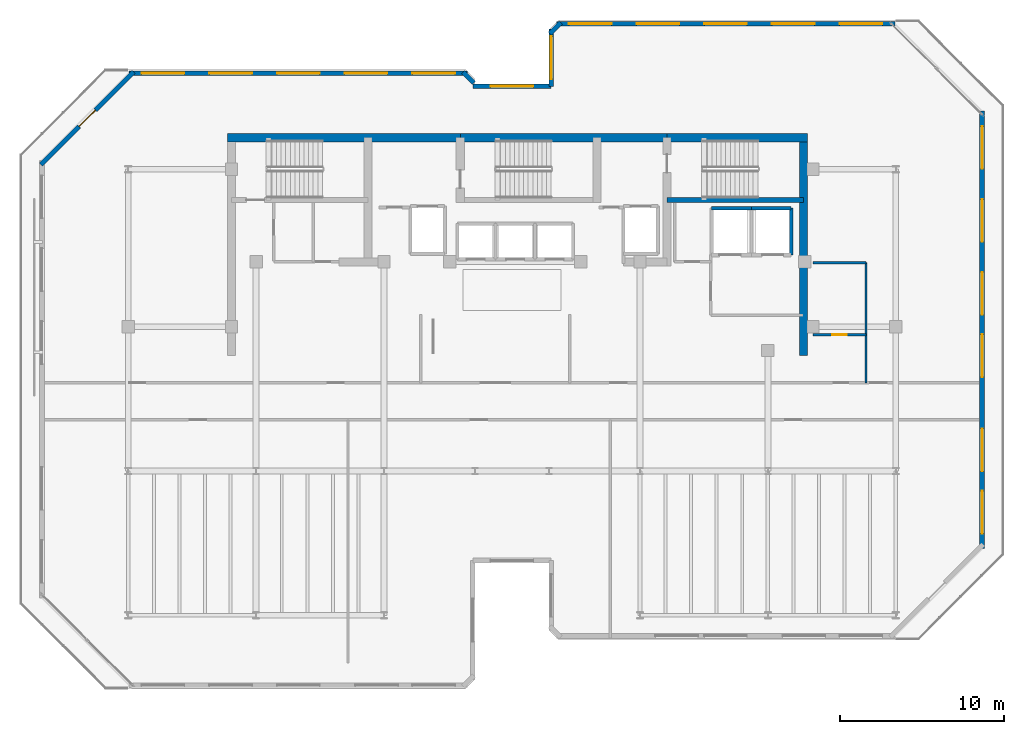
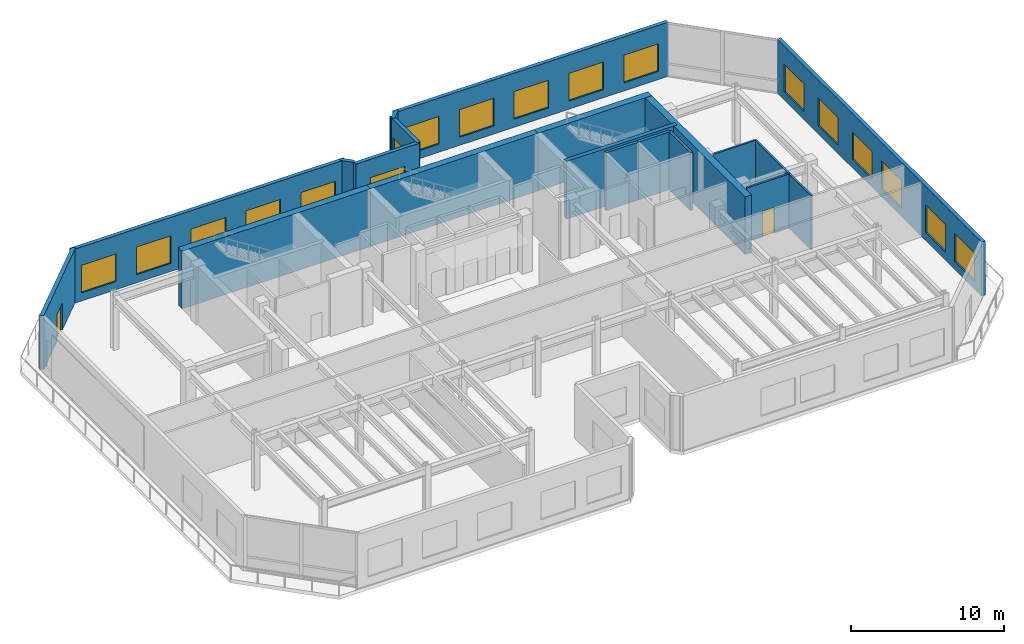
# One storey, part 8 of 12: 19 walls, 18 windows, 2 doors, 20 openings.
"""IFC4 building model written with IfcOpenShell, lengths in metres."""

from ifc_helpers import new_model, si_unit, direction, frame, frame_2d, origin, place, context, subcontext, project, spatial, rectangle, extrude, material, layer, layer_set, type_object, element, fill, save


model = new_model("IFC4")

# Units and contexts
model_context = context("Model", 3, precision=1e-05, world=origin(), true_north=direction((0.0, 1.0)))
body_context = subcontext(model_context, "Body", "Model", "MODEL_VIEW")
ifc_project = project(units=[si_unit("LENGTHUNIT", "METRE"), si_unit("AREAUNIT", "SQUARE_METRE"), si_unit("VOLUMEUNIT", "CUBIC_METRE"), si_unit("PLANEANGLEUNIT", "RADIAN"), si_unit("MASSUNIT", "GRAM", prefix="KILO")], contexts=[model_context])

# Site, building, storey
site_placement = place(None, origin())
site = spatial("IfcSite", under=ifc_project, at=site_placement, CompositionType="ELEMENT")
building_placement = place(site_placement, origin())
building = spatial("IfcBuilding", under=site, at=building_placement, Name="Kestravale Grand Hotel", CompositionType="ELEMENT")
storey_placement = place(building_placement, frame((0.0, 0.0, 302.0)))
storey = spatial("IfcBuildingStorey", under=building, at=storey_placement, Name="L75", CompositionType="ELEMENT", Elevation=302.0)

# Walls
ifc_material_1 = material(Name="Concrete f'c 50 MPa", Category="concrete")
ifc_layer_1 = layer(ifc_material_1, 0.5)
ifc_layer_set_1 = layer_set([ifc_layer_1], Name="EW-CORE-500")
wall_type_1 = type_object("IfcWallType", Name="EW-CORE-500", PredefinedType="SHEAR", material=ifc_layer_set_1)
wall_1_placement = place(storey_placement, frame((21.64990234375, 40.320068359375, 0.0), z_axis=(0.0, 0.0, 1.0), x_axis=(1.0, 0.0, 0.0)))
element("IfcWall", 1, at=wall_1_placement, inside=storey, type_object=wall_type_1, Name="L75 core shear wall N1", PredefinedType="SHEAR", context=body_context, shape_type="SweptSolid", body=[
    extrude(rectangle(XDim=14.2001953125, YDim=0.5, at=frame_2d((7.10009765625, 0.0))), origin(), (0.0, 0.0, 1.0), 4.60009765625),
])
wall_2_placement = place(storey_placement, frame((35.85009765625, 40.320068359375, 0.0), z_axis=(0.0, 0.0, 1.0), x_axis=(1.0, 0.0, 0.0)))
element("IfcWall", 2, at=wall_2_placement, inside=storey, type_object=wall_type_1, Name="L75 core shear wall N2", PredefinedType="SHEAR", context=body_context, shape_type="SweptSolid", body=[
    extrude(rectangle(XDim=12.599853515625, YDim=0.5, at=frame_2d((6.2998046875, 0.0))), origin(), (0.0, 0.0, 1.0), 4.60009765625),
])
wall_3_placement = place(storey_placement, frame((48.449951171875, 40.320068359375, 0.0), z_axis=(0.0, 0.0, 1.0), x_axis=(1.0, 0.0, 0.0)))
element("IfcWall", 3, at=wall_3_placement, inside=storey, type_object=wall_type_1, Name="L75 core shear wall N3", PredefinedType="SHEAR", context=body_context, shape_type="SweptSolid", body=[
    extrude(rectangle(XDim=8.570068359375, YDim=0.5, at=frame_2d((4.28515625, 0.0))), origin(), (0.0, 0.0, 1.0), 4.60009765625),
])
wall_4_placement = place(storey_placement, frame((56.77001953125, 27.050048828125, 0.0), z_axis=(0.0, 0.0, 1.0), x_axis=(0.0, 1.0, 0.0)))
element("IfcWall", 4, at=wall_4_placement, inside=storey, type_object=wall_type_1, Name="L75 core shear wall E1", PredefinedType="SHEAR", context=body_context, shape_type="SweptSolid", body=[
    extrude(rectangle(XDim=13.52001953125, YDim=0.5, at=frame_2d((6.760009765625, 0.0))), origin(), (0.0, 0.0, 1.0), 4.60009765625),
])

# Wall, openings, windows
ifc_material_2 = material(Name="Precast concrete f'c 45 MPa", Category="concrete")
ifc_layer_2 = layer(ifc_material_2, 0.280029296875)
ifc_layer_set_2 = layer_set([ifc_layer_2], Name="EW-PREC-280")
wall_type_2 = type_object("IfcWallType", Name="EW-PREC-280", PredefinedType="SOLIDWALL", material=ifc_layer_set_2)
wall_5_placement = place(storey_placement, frame((67.659912109375, 15.260009765625, 0.0), z_axis=(0.0, 0.0, 1.0), x_axis=(0.0, 1.0, 0.0)))
wall_5 = element("IfcWall", 5, at=wall_5_placement, inside=storey, type_object=wall_type_2, Name="L75 fluted precast facade wall 9", PredefinedType="SOLIDWALL", context=body_context, shape_type="SweptSolid", body=[
    extrude(rectangle(XDim=26.679931640625, YDim=0.280029296875, at=frame_2d((13.33984375, 0.0))), origin(), (0.0, 0.0, 1.0), 4.31005859375),
])
opening_1_placement = place(wall_5_placement, frame((0.92333984375, 0.0, 0.64990234375)))
opening_1 = element("IfcOpeningElement", 6, at=opening_1_placement, cuts=wall_5, Name="Opening W-SKY-2600", PredefinedType="OPENING", context=body_context, shape_type="SweptSolid", body=[
    extrude(rectangle(XDim=2.60009765625, YDim=2.199951171875, at=frame_2d((1.300048828125, 1.10009765625))), frame((0.0, 0.14990234375, 0.0), z_axis=(0.0, -1.0, 0.0), x_axis=(1.0, 0.0, 0.0)), (0.0, 0.0, 1.0), 0.300048828125),
])
opening_2_placement = place(wall_5_placement, frame((4.719970703125, 0.0, 0.64990234375)))
opening_2 = element("IfcOpeningElement", 7, at=opening_2_placement, cuts=wall_5, Name="Opening W-SKY-2600", PredefinedType="OPENING", context=body_context, shape_type="SweptSolid", body=[
    extrude(rectangle(XDim=2.60009765625, YDim=2.199951171875, at=frame_2d((1.300048828125, 1.10009765625))), frame((0.0, 0.14990234375, 0.0), z_axis=(0.0, -1.0, 0.0), x_axis=(1.0, 0.0, 0.0)), (0.0, 0.0, 1.0), 0.300048828125),
])
opening_3_placement = place(wall_5_placement, frame((10.466796875, 0.0, 0.64990234375)))
opening_3 = element("IfcOpeningElement", 8, at=opening_3_placement, cuts=wall_5, Name="Opening W-SKY-2600", PredefinedType="OPENING", context=body_context, shape_type="SweptSolid", body=[
    extrude(rectangle(XDim=2.60009765625, YDim=2.199951171875, at=frame_2d((1.300048828125, 1.10009765625))), frame((0.0, 0.14990234375, 0.0), z_axis=(0.0, -1.0, 0.0), x_axis=(1.0, 0.0, 0.0)), (0.0, 0.0, 1.0), 0.300048828125),
])
opening_4_placement = place(wall_5_placement, frame((14.26318359375, 0.0, 0.64990234375)))
opening_4 = element("IfcOpeningElement", 9, at=opening_4_placement, cuts=wall_5, Name="Opening W-SKY-2600", PredefinedType="OPENING", context=body_context, shape_type="SweptSolid", body=[
    extrude(rectangle(XDim=2.60009765625, YDim=2.199951171875, at=frame_2d((1.300048828125, 1.10009765625))), frame((0.0, 0.14990234375, 0.0), z_axis=(0.0, -1.0, 0.0), x_axis=(1.0, 0.0, 0.0)), (0.0, 0.0, 1.0), 0.300048828125),
])
opening_5_placement = place(wall_5_placement, frame((18.7099609375, 0.0, 0.64990234375)))
opening_5 = element("IfcOpeningElement", 10, at=opening_5_placement, cuts=wall_5, Name="Opening W-SKY-2600", PredefinedType="OPENING", context=body_context, shape_type="SweptSolid", body=[
    extrude(rectangle(XDim=2.60009765625, YDim=2.199951171875, at=frame_2d((1.300048828125, 1.10009765625))), frame((0.0, 0.14990234375, 0.0), z_axis=(0.0, -1.0, 0.0), x_axis=(1.0, 0.0, 0.0)), (0.0, 0.0, 1.0), 0.300048828125),
])
opening_6_placement = place(wall_5_placement, frame((23.15673828125, 0.0, 0.64990234375)))
opening_6 = element("IfcOpeningElement", 11, at=opening_6_placement, cuts=wall_5, Name="Opening W-SKY-2600", PredefinedType="OPENING", context=body_context, shape_type="SweptSolid", body=[
    extrude(rectangle(XDim=2.60009765625, YDim=2.199951171875, at=frame_2d((1.300048828125, 1.10009765625))), frame((0.0, 0.14990234375, 0.0), z_axis=(0.0, -1.0, 0.0), x_axis=(1.0, 0.0, 0.0)), (0.0, 0.0, 1.0), 0.300048828125),
])
ifc_material_3 = material(Name="Insulated low-E double glazing in aluminium frame", Category="aluminium")
window_type = type_object("IfcWindowType", Name="W-SKY-2600", PartitioningType="TRIPLE_PANEL_VERTICAL", PredefinedType="WINDOW", material=ifc_material_3)
window_1_placement = place(opening_1_placement, origin())
window_1 = element("IfcWindow", 12, at=window_1_placement, inside=storey, type_object=window_type, Name="L75 exterior window 9.1", OverallHeight=2.199951171875, OverallWidth=2.60009765625, PartitioningType="SINGLE_PANEL", PredefinedType="WINDOW", context=body_context, shape_type="SweptSolid", body=[
    extrude(rectangle(XDim=2.60009765625, YDim=2.199951171875, at=frame_2d((1.300048828125, 1.10009765625))), frame((0.0, 0.030029296875, 0.0), z_axis=(0.0, -1.0, 0.0), x_axis=(1.0, 0.0, 0.0)), (0.0, 0.0, 1.0), 0.06005859375),
])
fill(opening_1, window_1)
window_2_placement = place(opening_2_placement, origin())
window_2 = element("IfcWindow", 13, at=window_2_placement, inside=storey, type_object=window_type, Name="L75 exterior window 9.2", OverallHeight=2.199951171875, OverallWidth=2.60009765625, PartitioningType="SINGLE_PANEL", PredefinedType="WINDOW", context=body_context, shape_type="SweptSolid", body=[
    extrude(rectangle(XDim=2.60009765625, YDim=2.199951171875, at=frame_2d((1.300048828125, 1.10009765625))), frame((0.0, 0.030029296875, 0.0), z_axis=(0.0, -1.0, 0.0), x_axis=(1.0, 0.0, 0.0)), (0.0, 0.0, 1.0), 0.06005859375),
])
fill(opening_2, window_2)
window_3_placement = place(opening_3_placement, origin())
window_3 = element("IfcWindow", 14, at=window_3_placement, inside=storey, type_object=window_type, Name="L75 exterior window 9.3", OverallHeight=2.199951171875, OverallWidth=2.60009765625, PartitioningType="SINGLE_PANEL", PredefinedType="WINDOW", context=body_context, shape_type="SweptSolid", body=[
    extrude(rectangle(XDim=2.60009765625, YDim=2.199951171875, at=frame_2d((1.300048828125, 1.10009765625))), frame((0.0, 0.030029296875, 0.0), z_axis=(0.0, -1.0, 0.0), x_axis=(1.0, 0.0, 0.0)), (0.0, 0.0, 1.0), 0.06005859375),
])
fill(opening_3, window_3)
window_4_placement = place(opening_4_placement, origin())
window_4 = element("IfcWindow", 15, at=window_4_placement, inside=storey, type_object=window_type, Name="L75 exterior window 9.4", OverallHeight=2.199951171875, OverallWidth=2.60009765625, PartitioningType="SINGLE_PANEL", PredefinedType="WINDOW", context=body_context, shape_type="SweptSolid", body=[
    extrude(rectangle(XDim=2.60009765625, YDim=2.199951171875, at=frame_2d((1.300048828125, 1.10009765625))), frame((0.0, 0.030029296875, 0.0), z_axis=(0.0, -1.0, 0.0), x_axis=(1.0, 0.0, 0.0)), (0.0, 0.0, 1.0), 0.06005859375),
])
fill(opening_4, window_4)
window_5_placement = place(opening_5_placement, origin())
window_5 = element("IfcWindow", 16, at=window_5_placement, inside=storey, type_object=window_type, Name="L75 exterior window 9.5", OverallHeight=2.199951171875, OverallWidth=2.60009765625, PartitioningType="SINGLE_PANEL", PredefinedType="WINDOW", context=body_context, shape_type="SweptSolid", body=[
    extrude(rectangle(XDim=2.60009765625, YDim=2.199951171875, at=frame_2d((1.300048828125, 1.10009765625))), frame((0.0, 0.030029296875, 0.0), z_axis=(0.0, -1.0, 0.0), x_axis=(1.0, 0.0, 0.0)), (0.0, 0.0, 1.0), 0.06005859375),
])
fill(opening_5, window_5)
window_6_placement = place(opening_6_placement, origin())
window_6 = element("IfcWindow", 17, at=window_6_placement, inside=storey, type_object=window_type, Name="L75 exterior window 9.6", OverallHeight=2.199951171875, OverallWidth=2.60009765625, PartitioningType="SINGLE_PANEL", PredefinedType="WINDOW", context=body_context, shape_type="SweptSolid", body=[
    extrude(rectangle(XDim=2.60009765625, YDim=2.199951171875, at=frame_2d((1.300048828125, 1.10009765625))), frame((0.0, 0.030029296875, 0.0), z_axis=(0.0, -1.0, 0.0), x_axis=(1.0, 0.0, 0.0)), (0.0, 0.0, 1.0), 0.06005859375),
])
fill(opening_6, window_6)

wall_6_placement = place(storey_placement, frame((62.340087890625, 47.260009765625, 0.0), z_axis=(0.0, 0.0, 1.0), x_axis=(-1.0, 0.0, 0.0)))
wall_6 = element("IfcWall", 18, at=wall_6_placement, inside=storey, type_object=wall_type_2, Name="L75 fluted precast facade wall 11", PredefinedType="SOLIDWALL", context=body_context, shape_type="SweptSolid", body=[
    extrude(rectangle(XDim=20.630126953125, YDim=0.280029296875, at=frame_2d((10.31494140625, 0.0))), origin(), (0.0, 0.0, 1.0), 4.31005859375),
])
opening_7_placement = place(wall_6_placement, frame((0.762939453125, 0.0, 0.64990234375)))
opening_7 = element("IfcOpeningElement", 19, at=opening_7_placement, cuts=wall_6, Name="Opening W-SKY-2600", PredefinedType="OPENING", context=body_context, shape_type="SweptSolid", body=[
    extrude(rectangle(XDim=2.60009765625, YDim=2.199951171875, at=frame_2d((1.300048828125, 1.10009765625))), frame((0.0, 0.14990234375, 0.0), z_axis=(0.0, -1.0, 0.0), x_axis=(1.0, 0.0, 0.0)), (0.0, 0.0, 1.0), 0.300048828125),
])
opening_8_placement = place(wall_6_placement, frame((4.888916015625, 0.0, 0.64990234375)))
opening_8 = element("IfcOpeningElement", 20, at=opening_8_placement, cuts=wall_6, Name="Opening W-SKY-2600", PredefinedType="OPENING", context=body_context, shape_type="SweptSolid", body=[
    extrude(rectangle(XDim=2.60009765625, YDim=2.199951171875, at=frame_2d((1.300048828125, 1.10009765625))), frame((0.0, 0.14990234375, 0.0), z_axis=(0.0, -1.0, 0.0), x_axis=(1.0, 0.0, 0.0)), (0.0, 0.0, 1.0), 0.300048828125),
])
opening_9_placement = place(wall_6_placement, frame((9.014892578125, 0.0, 0.64990234375)))
opening_9 = element("IfcOpeningElement", 21, at=opening_9_placement, cuts=wall_6, Name="Opening W-SKY-2600", PredefinedType="OPENING", context=body_context, shape_type="SweptSolid", body=[
    extrude(rectangle(XDim=2.60009765625, YDim=2.199951171875, at=frame_2d((1.300048828125, 1.10009765625))), frame((0.0, 0.14990234375, 0.0), z_axis=(0.0, -1.0, 0.0), x_axis=(1.0, 0.0, 0.0)), (0.0, 0.0, 1.0), 0.300048828125),
])
opening_10_placement = place(wall_6_placement, frame((13.14111328125, 0.0, 0.64990234375)))
opening_10 = element("IfcOpeningElement", 22, at=opening_10_placement, cuts=wall_6, Name="Opening W-SKY-2600", PredefinedType="OPENING", context=body_context, shape_type="SweptSolid", body=[
    extrude(rectangle(XDim=2.60009765625, YDim=2.199951171875, at=frame_2d((1.300048828125, 1.10009765625))), frame((0.0, 0.14990234375, 0.0), z_axis=(0.0, -1.0, 0.0), x_axis=(1.0, 0.0, 0.0)), (0.0, 0.0, 1.0), 0.300048828125),
])
opening_11_placement = place(wall_6_placement, frame((17.26708984375, 0.0, 0.64990234375)))
opening_11 = element("IfcOpeningElement", 23, at=opening_11_placement, cuts=wall_6, Name="Opening W-SKY-2600", PredefinedType="OPENING", context=body_context, shape_type="SweptSolid", body=[
    extrude(rectangle(XDim=2.60009765625, YDim=2.199951171875, at=frame_2d((1.300048828125, 1.10009765625))), frame((0.0, 0.14990234375, 0.0), z_axis=(0.0, -1.0, 0.0), x_axis=(1.0, 0.0, 0.0)), (0.0, 0.0, 1.0), 0.300048828125),
])
window_7_placement = place(opening_7_placement, origin())
window_7 = element("IfcWindow", 24, at=window_7_placement, inside=storey, type_object=window_type, Name="L75 exterior window 11.1", OverallHeight=2.199951171875, OverallWidth=2.60009765625, PartitioningType="SINGLE_PANEL", PredefinedType="WINDOW", context=body_context, shape_type="SweptSolid", body=[
    extrude(rectangle(XDim=2.60009765625, YDim=2.199951171875, at=frame_2d((1.300048828125, 1.10009765625))), frame((0.0, 0.030029296875, 0.0), z_axis=(0.0, -1.0, 0.0), x_axis=(1.0, 0.0, 0.0)), (0.0, 0.0, 1.0), 0.06005859375),
])
fill(opening_7, window_7)
window_8_placement = place(opening_8_placement, origin())
window_8 = element("IfcWindow", 25, at=window_8_placement, inside=storey, type_object=window_type, Name="L75 exterior window 11.2", OverallHeight=2.199951171875, OverallWidth=2.60009765625, PartitioningType="SINGLE_PANEL", PredefinedType="WINDOW", context=body_context, shape_type="SweptSolid", body=[
    extrude(rectangle(XDim=2.60009765625, YDim=2.199951171875, at=frame_2d((1.300048828125, 1.10009765625))), frame((0.0, 0.030029296875, 0.0), z_axis=(0.0, -1.0, 0.0), x_axis=(1.0, 0.0, 0.0)), (0.0, 0.0, 1.0), 0.06005859375),
])
fill(opening_8, window_8)
window_9_placement = place(opening_9_placement, origin())
window_9 = element("IfcWindow", 26, at=window_9_placement, inside=storey, type_object=window_type, Name="L75 exterior window 11.3", OverallHeight=2.199951171875, OverallWidth=2.60009765625, PartitioningType="SINGLE_PANEL", PredefinedType="WINDOW", context=body_context, shape_type="SweptSolid", body=[
    extrude(rectangle(XDim=2.60009765625, YDim=2.199951171875, at=frame_2d((1.300048828125, 1.10009765625))), frame((0.0, 0.030029296875, 0.0), z_axis=(0.0, -1.0, 0.0), x_axis=(1.0, 0.0, 0.0)), (0.0, 0.0, 1.0), 0.06005859375),
])
fill(opening_9, window_9)
window_10_placement = place(opening_10_placement, origin())
window_10 = element("IfcWindow", 27, at=window_10_placement, inside=storey, type_object=window_type, Name="L75 exterior window 11.4", OverallHeight=2.199951171875, OverallWidth=2.60009765625, PartitioningType="SINGLE_PANEL", PredefinedType="WINDOW", context=body_context, shape_type="SweptSolid", body=[
    extrude(rectangle(XDim=2.60009765625, YDim=2.199951171875, at=frame_2d((1.300048828125, 1.10009765625))), frame((0.0, 0.030029296875, 0.0), z_axis=(0.0, -1.0, 0.0), x_axis=(1.0, 0.0, 0.0)), (0.0, 0.0, 1.0), 0.06005859375),
])
fill(opening_10, window_10)
window_11_placement = place(opening_11_placement, origin())
window_11 = element("IfcWindow", 28, at=window_11_placement, inside=storey, type_object=window_type, Name="L75 exterior window 11.5", OverallHeight=2.199951171875, OverallWidth=2.60009765625, PartitioningType="SINGLE_PANEL", PredefinedType="WINDOW", context=body_context, shape_type="SweptSolid", body=[
    extrude(rectangle(XDim=2.60009765625, YDim=2.199951171875, at=frame_2d((1.300048828125, 1.10009765625))), frame((0.0, 0.030029296875, 0.0), z_axis=(0.0, -1.0, 0.0), x_axis=(1.0, 0.0, 0.0)), (0.0, 0.0, 1.0), 0.06005859375),
])
fill(opening_11, window_11)

# Wall
wall_7_placement = place(storey_placement, frame((41.977294921875, 47.329345703125, 0.0), z_axis=(0.0, 0.0, 1.0), x_axis=(-0.706975312048, -0.707238225886, 0.0)))
element("IfcWall", 29, at=wall_7_placement, inside=storey, type_object=wall_type_2, Name="L75 fluted precast facade wall 12", PredefinedType="SOLIDWALL", context=body_context, shape_type="SweptSolid", body=[
    extrude(rectangle(XDim=0.9287109375, YDim=0.280029296875, at=frame_2d((0.46435546875, 0.0))), origin(), (0.0, 0.0, 1.0), 4.31005859375),
])

# Wall, opening, window
wall_8_placement = place(storey_placement, frame((41.389892578125, 46.93994140625, 0.0), z_axis=(0.0, 0.0, 1.0), x_axis=(0.0, -1.0, 0.0)))
wall_8 = element("IfcWall", 30, at=wall_8_placement, inside=storey, type_object=wall_type_2, Name="L75 fluted precast facade wall 13", PredefinedType="SOLIDWALL", context=body_context, shape_type="SweptSolid", body=[
    extrude(rectangle(XDim=3.47998046875, YDim=0.280029296875, at=frame_2d((1.739990234375, 0.0))), origin(), (0.0, 0.0, 1.0), 4.31005859375),
])
opening_12_placement = place(wall_8_placement, frame((0.43994140625, 0.0, 0.64990234375)))
opening_12 = element("IfcOpeningElement", 31, at=opening_12_placement, cuts=wall_8, Name="Opening W-SKY-2600", PredefinedType="OPENING", context=body_context, shape_type="SweptSolid", body=[
    extrude(rectangle(XDim=2.60009765625, YDim=2.199951171875, at=frame_2d((1.300048828125, 1.10009765625))), frame((0.0, 0.14990234375, 0.0), z_axis=(0.0, -1.0, 0.0), x_axis=(1.0, 0.0, 0.0)), (0.0, 0.0, 1.0), 0.300048828125),
])
window_12_placement = place(opening_12_placement, origin())
window_12 = element("IfcWindow", 32, at=window_12_placement, inside=storey, type_object=window_type, Name="L75 exterior window 13.1", OverallHeight=2.199951171875, OverallWidth=2.60009765625, PartitioningType="SINGLE_PANEL", PredefinedType="WINDOW", context=body_context, shape_type="SweptSolid", body=[
    extrude(rectangle(XDim=2.60009765625, YDim=2.199951171875, at=frame_2d((1.300048828125, 1.10009765625))), frame((0.0, 0.030029296875, 0.0), z_axis=(0.0, -1.0, 0.0), x_axis=(1.0, 0.0, 0.0)), (0.0, 0.0, 1.0), 0.06005859375),
])
fill(opening_12, window_12)

wall_9_placement = place(storey_placement, frame((41.389892578125, 43.4599609375, 0.0), z_axis=(0.0, 0.0, 1.0), x_axis=(-1.0, 0.0, 0.0)))
wall_9 = element("IfcWall", 33, at=wall_9_placement, inside=storey, type_object=wall_type_2, Name="L75 fluted precast facade wall 14", PredefinedType="SOLIDWALL", context=body_context, shape_type="SweptSolid", body=[
    extrude(rectangle(XDim=4.77978515625, YDim=0.280029296875, at=frame_2d((2.389892578125, 0.0))), origin(), (0.0, 0.0, 1.0), 4.31005859375),
])
opening_13_placement = place(wall_9_placement, frame((1.090087890625, 0.0, 0.64990234375)))
opening_13 = element("IfcOpeningElement", 34, at=opening_13_placement, cuts=wall_9, Name="Opening W-SKY-2600", PredefinedType="OPENING", context=body_context, shape_type="SweptSolid", body=[
    extrude(rectangle(XDim=2.60009765625, YDim=2.199951171875, at=frame_2d((1.300048828125, 1.10009765625))), frame((0.0, 0.14990234375, 0.0), z_axis=(0.0, -1.0, 0.0), x_axis=(1.0, 0.0, 0.0)), (0.0, 0.0, 1.0), 0.300048828125),
])
window_13_placement = place(opening_13_placement, origin())
window_13 = element("IfcWindow", 35, at=window_13_placement, inside=storey, type_object=window_type, Name="L75 exterior window 14.1", OverallHeight=2.199951171875, OverallWidth=2.60009765625, PartitioningType="SINGLE_PANEL", PredefinedType="WINDOW", context=body_context, shape_type="SweptSolid", body=[
    extrude(rectangle(XDim=2.60009765625, YDim=2.199951171875, at=frame_2d((1.300048828125, 1.10009765625))), frame((0.0, 0.030029296875, 0.0), z_axis=(0.0, -1.0, 0.0), x_axis=(1.0, 0.0, 0.0)), (0.0, 0.0, 1.0), 0.06005859375),
])
fill(opening_13, window_13)

# Wall
wall_10_placement = place(storey_placement, frame((36.67919921875, 43.672607421875, 0.0), z_axis=(0.0, 0.0, 1.0), x_axis=(-0.706975312048, 0.707238225886, 0.0)))
element("IfcWall", 36, at=wall_10_placement, inside=storey, type_object=wall_type_2, Name="L75 fluted precast facade wall 16", PredefinedType="SOLIDWALL", context=body_context, shape_type="SweptSolid", body=[
    extrude(rectangle(XDim=0.9287109375, YDim=0.280029296875, at=frame_2d((0.46435546875, 0.0))), origin(), (0.0, 0.0, 1.0), 4.31005859375),
])

# Wall, openings, windows
wall_11_placement = place(storey_placement, frame((36.2900390625, 44.260009765625, 0.0), z_axis=(0.0, 0.0, 1.0), x_axis=(-1.0, 0.0, 0.0)))
wall_11 = element("IfcWall", 37, at=wall_11_placement, inside=storey, type_object=wall_type_2, Name="L75 fluted precast facade wall 17", PredefinedType="SOLIDWALL", context=body_context, shape_type="SweptSolid", body=[
    extrude(rectangle(XDim=20.630126953125, YDim=0.280029296875, at=frame_2d((10.31494140625, 0.0))), origin(), (0.0, 0.0, 1.0), 4.31005859375),
])
opening_14_placement = place(wall_11_placement, frame((0.762939453125, 0.0, 0.64990234375)))
opening_14 = element("IfcOpeningElement", 38, at=opening_14_placement, cuts=wall_11, Name="Opening W-SKY-2600", PredefinedType="OPENING", context=body_context, shape_type="SweptSolid", body=[
    extrude(rectangle(XDim=2.60009765625, YDim=2.199951171875, at=frame_2d((1.300048828125, 1.10009765625))), frame((0.0, 0.14990234375, 0.0), z_axis=(0.0, -1.0, 0.0), x_axis=(1.0, 0.0, 0.0)), (0.0, 0.0, 1.0), 0.300048828125),
])
opening_15_placement = place(wall_11_placement, frame((4.888916015625, 0.0, 0.64990234375)))
opening_15 = element("IfcOpeningElement", 39, at=opening_15_placement, cuts=wall_11, Name="Opening W-SKY-2600", PredefinedType="OPENING", context=body_context, shape_type="SweptSolid", body=[
    extrude(rectangle(XDim=2.60009765625, YDim=2.199951171875, at=frame_2d((1.300048828125, 1.10009765625))), frame((0.0, 0.14990234375, 0.0), z_axis=(0.0, -1.0, 0.0), x_axis=(1.0, 0.0, 0.0)), (0.0, 0.0, 1.0), 0.300048828125),
])
opening_16_placement = place(wall_11_placement, frame((9.014892578125, 0.0, 0.64990234375)))
opening_16 = element("IfcOpeningElement", 40, at=opening_16_placement, cuts=wall_11, Name="Opening W-SKY-2600", PredefinedType="OPENING", context=body_context, shape_type="SweptSolid", body=[
    extrude(rectangle(XDim=2.60009765625, YDim=2.199951171875, at=frame_2d((1.300048828125, 1.10009765625))), frame((0.0, 0.14990234375, 0.0), z_axis=(0.0, -1.0, 0.0), x_axis=(1.0, 0.0, 0.0)), (0.0, 0.0, 1.0), 0.300048828125),
])
opening_17_placement = place(wall_11_placement, frame((13.14111328125, 0.0, 0.64990234375)))
opening_17 = element("IfcOpeningElement", 41, at=opening_17_placement, cuts=wall_11, Name="Opening W-SKY-2600", PredefinedType="OPENING", context=body_context, shape_type="SweptSolid", body=[
    extrude(rectangle(XDim=2.60009765625, YDim=2.199951171875, at=frame_2d((1.300048828125, 1.10009765625))), frame((0.0, 0.14990234375, 0.0), z_axis=(0.0, -1.0, 0.0), x_axis=(1.0, 0.0, 0.0)), (0.0, 0.0, 1.0), 0.300048828125),
])
opening_18_placement = place(wall_11_placement, frame((17.26708984375, 0.0, 0.64990234375)))
opening_18 = element("IfcOpeningElement", 42, at=opening_18_placement, cuts=wall_11, Name="Opening W-SKY-2600", PredefinedType="OPENING", context=body_context, shape_type="SweptSolid", body=[
    extrude(rectangle(XDim=2.60009765625, YDim=2.199951171875, at=frame_2d((1.300048828125, 1.10009765625))), frame((0.0, 0.14990234375, 0.0), z_axis=(0.0, -1.0, 0.0), x_axis=(1.0, 0.0, 0.0)), (0.0, 0.0, 1.0), 0.300048828125),
])
window_14_placement = place(opening_14_placement, origin())
window_14 = element("IfcWindow", 43, at=window_14_placement, inside=storey, type_object=window_type, Name="L75 exterior window 17.1", OverallHeight=2.199951171875, OverallWidth=2.60009765625, PartitioningType="SINGLE_PANEL", PredefinedType="WINDOW", context=body_context, shape_type="SweptSolid", body=[
    extrude(rectangle(XDim=2.60009765625, YDim=2.199951171875, at=frame_2d((1.300048828125, 1.10009765625))), frame((0.0, 0.030029296875, 0.0), z_axis=(0.0, -1.0, 0.0), x_axis=(1.0, 0.0, 0.0)), (0.0, 0.0, 1.0), 0.06005859375),
])
fill(opening_14, window_14)
window_15_placement = place(opening_15_placement, origin())
window_15 = element("IfcWindow", 44, at=window_15_placement, inside=storey, type_object=window_type, Name="L75 exterior window 17.2", OverallHeight=2.199951171875, OverallWidth=2.60009765625, PartitioningType="SINGLE_PANEL", PredefinedType="WINDOW", context=body_context, shape_type="SweptSolid", body=[
    extrude(rectangle(XDim=2.60009765625, YDim=2.199951171875, at=frame_2d((1.300048828125, 1.10009765625))), frame((0.0, 0.030029296875, 0.0), z_axis=(0.0, -1.0, 0.0), x_axis=(1.0, 0.0, 0.0)), (0.0, 0.0, 1.0), 0.06005859375),
])
fill(opening_15, window_15)
window_16_placement = place(opening_16_placement, origin())
window_16 = element("IfcWindow", 45, at=window_16_placement, inside=storey, type_object=window_type, Name="L75 exterior window 17.3", OverallHeight=2.199951171875, OverallWidth=2.60009765625, PartitioningType="SINGLE_PANEL", PredefinedType="WINDOW", context=body_context, shape_type="SweptSolid", body=[
    extrude(rectangle(XDim=2.60009765625, YDim=2.199951171875, at=frame_2d((1.300048828125, 1.10009765625))), frame((0.0, 0.030029296875, 0.0), z_axis=(0.0, -1.0, 0.0), x_axis=(1.0, 0.0, 0.0)), (0.0, 0.0, 1.0), 0.06005859375),
])
fill(opening_16, window_16)
window_17_placement = place(opening_17_placement, origin())
window_17 = element("IfcWindow", 46, at=window_17_placement, inside=storey, type_object=window_type, Name="L75 exterior window 17.4", OverallHeight=2.199951171875, OverallWidth=2.60009765625, PartitioningType="SINGLE_PANEL", PredefinedType="WINDOW", context=body_context, shape_type="SweptSolid", body=[
    extrude(rectangle(XDim=2.60009765625, YDim=2.199951171875, at=frame_2d((1.300048828125, 1.10009765625))), frame((0.0, 0.030029296875, 0.0), z_axis=(0.0, -1.0, 0.0), x_axis=(1.0, 0.0, 0.0)), (0.0, 0.0, 1.0), 0.06005859375),
])
fill(opening_17, window_17)
window_18_placement = place(opening_18_placement, origin())
window_18 = element("IfcWindow", 47, at=window_18_placement, inside=storey, type_object=window_type, Name="L75 exterior window 17.5", OverallHeight=2.199951171875, OverallWidth=2.60009765625, PartitioningType="SINGLE_PANEL", PredefinedType="WINDOW", context=body_context, shape_type="SweptSolid", body=[
    extrude(rectangle(XDim=2.60009765625, YDim=2.199951171875, at=frame_2d((1.300048828125, 1.10009765625))), frame((0.0, 0.030029296875, 0.0), z_axis=(0.0, -1.0, 0.0), x_axis=(1.0, 0.0, 0.0)), (0.0, 0.0, 1.0), 0.06005859375),
])
fill(opening_18, window_18)

# Wall, opening, door
wall_12_placement = place(storey_placement, frame((15.92724609375, 44.329345703125, 0.0), z_axis=(0.0, 0.0, 1.0), x_axis=(-0.707091521591, -0.707122040453, 0.0)))
wall_12 = element("IfcWall", 48, at=wall_12_placement, inside=storey, type_object=wall_type_2, Name="L75 fluted precast facade wall 18", PredefinedType="SOLIDWALL", context=body_context, shape_type="SweptSolid", body=[
    extrude(rectangle(XDim=7.999755859375, YDim=0.280029296875, at=frame_2d((4.0, 0.0))), origin(), (0.0, 0.0, 1.0), 4.31005859375),
])
opening_19_placement = place(wall_12_placement, frame((3.2998046875, 0.0, 0.0)))
opening_19 = element("IfcOpeningElement", 49, at=opening_19_placement, cuts=wall_12, Name="Opening D-TERR-1400", PredefinedType="OPENING", context=body_context, shape_type="SweptSolid", body=[
    extrude(rectangle(XDim=1.39990234375, YDim=2.14990234375, at=frame_2d((0.699951171875, 1.074951171875))), frame((0.0, 0.14990234375, 0.0), z_axis=(0.0, -1.0, 0.0), x_axis=(1.0, 0.0, 0.0)), (0.0, 0.0, 1.0), 0.300048828125),
])
ifc_material_4 = material(Name="Insulated glazed champagne-bronze aluminium door", Category="aluminium")
door_type_1 = type_object("IfcDoorType", Name="D-TERR-1400", OperationType="NOTDEFINED", PredefinedType="DOOR", material=ifc_material_4)
door_1_placement = place(opening_19_placement, origin())
door_1 = element("IfcDoor", 50, at=door_1_placement, inside=storey, type_object=door_type_1, Name="L75 outdoor garden terrace door", OperationType="DOUBLE_DOOR_SINGLE_SWING", OverallHeight=2.14990234375, OverallWidth=1.39990234375, PredefinedType="DOOR", context=body_context, shape_type="SweptSolid", body=[
    extrude(rectangle(XDim=1.39990234375, YDim=2.14990234375, at=frame_2d((0.699951171875, 1.074951171875))), frame((0.0, 0.02490234375, 0.0), z_axis=(0.0, -1.0, 0.0), x_axis=(1.0, 0.0, 0.0)), (0.0, 0.0, 1.0), 0.050048828125),
])
fill(opening_19, door_1)

# Walls
ifc_material_5 = material(Name="Concrete f'c 45 MPa", Category="concrete")
ifc_layer_3 = layer(ifc_material_5, 0.300048828125)
ifc_layer_set_3 = layer_set([ifc_layer_3], Name="EW-STAIR-300")
wall_type_3 = type_object("IfcWallType", Name="EW-STAIR-300", PredefinedType="SHEAR", material=ifc_layer_set_3)
wall_13_placement = place(storey_placement, frame((48.449951171875, 36.52001953125, 0.0), z_axis=(0.0, 0.0, 1.0), x_axis=(1.0, 0.0, 0.0)))
element("IfcWall", 51, at=wall_13_placement, inside=storey, type_object=wall_type_3, Name="L75 stair enclosure shear wall SST3", PredefinedType="SHEAR", context=body_context, shape_type="SweptSolid", body=[
    extrude(rectangle(XDim=8.320068359375, YDim=0.300048828125, at=frame_2d((4.16015625, 0.0))), origin(), (0.0, 0.0, 1.0), 4.60009765625),
])
ifc_material_6 = material(Name="Moisture-resistant tile-backer plumbing chase wall", Category="other")
ifc_layer_4 = layer(ifc_material_6, 0.139892578125)
ifc_layer_set_4 = layer_set([ifc_layer_4], Name="IW-PLB-140")
wall_type_4 = type_object("IfcWallType", Name="IW-PLB-140", PredefinedType="PLUMBINGWALL", material=ifc_layer_set_4)
wall_14_placement = place(storey_placement, frame((60.580078125, 25.3798828125, 0.0), z_axis=(0.0, 0.0, 1.0), x_axis=(0.0, 1.0, 0.0)))
element("IfcWall", 52, at=wall_14_placement, inside=storey, type_object=wall_type_4, Name="W-L75-NEV", PredefinedType="PLUMBINGWALL", context=body_context, shape_type="SweptSolid", body=[
    extrude(rectangle(XDim=7.320068359375, YDim=0.139892578125, at=frame_2d((3.66015625, 0.0))), origin(), (0.0, 0.0, 1.0), 4.31005859375),
])

# Wall, opening, door
wall_15_placement = place(storey_placement, frame((57.35009765625, 28.300048828125, 0.0), z_axis=(0.0, 0.0, 1.0), x_axis=(1.0, 0.0, 0.0)))
wall_15 = element("IfcWall", 53, at=wall_15_placement, inside=storey, type_object=wall_type_4, Name="W-L75-NE1", PredefinedType="PLUMBINGWALL", context=body_context, shape_type="SweptSolid", body=[
    extrude(rectangle(XDim=3.22998046875, YDim=0.139892578125, at=frame_2d((1.614990234375, 0.0))), origin(), (0.0, 0.0, 1.0), 4.31005859375),
])
opening_20_placement = place(wall_15_placement, frame((1.175048828125, 0.0, 0.0)))
opening_20 = element("IfcOpeningElement", 54, at=opening_20_placement, cuts=wall_15, Name="Opening D-BATH-880", PredefinedType="OPENING", context=body_context, shape_type="SweptSolid", body=[
    extrude(rectangle(XDim=0.8798828125, YDim=2.050048828125, at=frame_2d((0.43994140625, 1.02490234375))), frame((0.0, 0.079833984375, 0.0), z_axis=(0.0, -1.0, 0.0), x_axis=(1.0, 0.0, 0.0)), (0.0, 0.0, 1.0), 0.159912109375),
])
ifc_material_7 = material(Name="Moisture-sealed walnut en-suite bathroom door", Category="wood")
door_type_2 = type_object("IfcDoorType", Name="D-BATH-880", OperationType="NOTDEFINED", PredefinedType="DOOR", material=ifc_material_7)
door_2_placement = place(opening_20_placement, origin())
door_2 = element("IfcDoor", 55, at=door_2_placement, inside=storey, type_object=door_type_2, Name="D-L75-WCM", OperationType="SINGLE_SWING_LEFT", OverallHeight=2.050048828125, OverallWidth=0.8798828125, PredefinedType="DOOR", context=body_context, shape_type="SweptSolid", body=[
    extrude(rectangle(XDim=0.8798828125, YDim=2.050048828125, at=frame_2d((0.43994140625, 1.02490234375))), frame((0.0, 0.02490234375, 0.0), z_axis=(0.0, -1.0, 0.0), x_axis=(1.0, 0.0, 0.0)), (0.0, 0.0, 1.0), 0.050048828125),
])
fill(opening_20, door_2)

# Walls
wall_16_placement = place(storey_placement, frame((57.35009765625, 32.699951171875, 0.0), z_axis=(0.0, 0.0, 1.0), x_axis=(1.0, 0.0, 0.0)))
element("IfcWall", 56, at=wall_16_placement, inside=storey, type_object=wall_type_4, Name="W-L75-NE2", PredefinedType="PLUMBINGWALL", context=body_context, shape_type="SweptSolid", body=[
    extrude(rectangle(XDim=3.22998046875, YDim=0.139892578125, at=frame_2d((1.614990234375, 0.0))), origin(), (0.0, 0.0, 1.0), 4.31005859375),
])
ifc_material_8 = material(Name="Concrete f'c 45 MPa", Category="concrete")
ifc_layer_5 = layer(ifc_material_8, 0.199951171875)
ifc_layer_set_5 = layer_set([ifc_layer_5], Name="IW-SHAFT-200")
wall_type_5 = type_object("IfcWallType", Name="IW-SHAFT-200", PredefinedType="SHEAR", material=ifc_layer_set_5)
wall_17_placement = place(storey_placement, frame((56.02001953125, 33.169921875, 0.0), z_axis=(0.0, 0.0, 1.0), x_axis=(0.0, 1.0, 0.0)))
element("IfcWall", 57, at=wall_17_placement, inside=storey, type_object=wall_type_5, Name="L75 SL-2 east shaft wall", PredefinedType="SHEAR", context=body_context, shape_type="SweptSolid", body=[
    extrude(rectangle(XDim=2.860107421875, YDim=0.199951171875, at=frame_2d((1.43017578125, 0.0))), origin(), (0.0, 0.0, 1.0), 4.60009765625),
])
ifc_material_9 = material(Name="Concrete f'c 45 MPa", Category="concrete")
ifc_layer_6 = layer(ifc_material_9, 0.219970703125)
ifc_layer_set_6 = layer_set([ifc_layer_6], Name="IW-SHAFT-220")
wall_type_6 = type_object("IfcWallType", Name="IW-SHAFT-220", PredefinedType="SHEAR", material=ifc_layer_set_6)
wall_18_placement = place(storey_placement, frame((51.179931640625, 36.030029296875, 0.0), z_axis=(0.0, 0.0, 1.0), x_axis=(1.0, 0.0, 0.0)))
element("IfcWall", 58, at=wall_18_placement, inside=storey, type_object=wall_type_6, Name="L75 SL-1 north shaft wall", PredefinedType="SHEAR", context=body_context, shape_type="SweptSolid", body=[
    extrude(rectangle(XDim=2.420166015625, YDim=0.219970703125, at=frame_2d((1.2099609375, 0.0))), origin(), (0.0, 0.0, 1.0), 4.60009765625),
])
wall_19_placement = place(storey_placement, frame((53.60009765625, 36.030029296875, 0.0), z_axis=(0.0, 0.0, 1.0), x_axis=(1.0, 0.0, 0.0)))
element("IfcWall", 59, at=wall_19_placement, inside=storey, type_object=wall_type_6, Name="L75 SL-2 north shaft wall", PredefinedType="SHEAR", context=body_context, shape_type="SweptSolid", body=[
    extrude(rectangle(XDim=2.419921875, YDim=0.219970703125, at=frame_2d((1.2099609375, 0.0))), origin(), (0.0, 0.0, 1.0), 4.60009765625),
])

save(model, "model.ifc")
